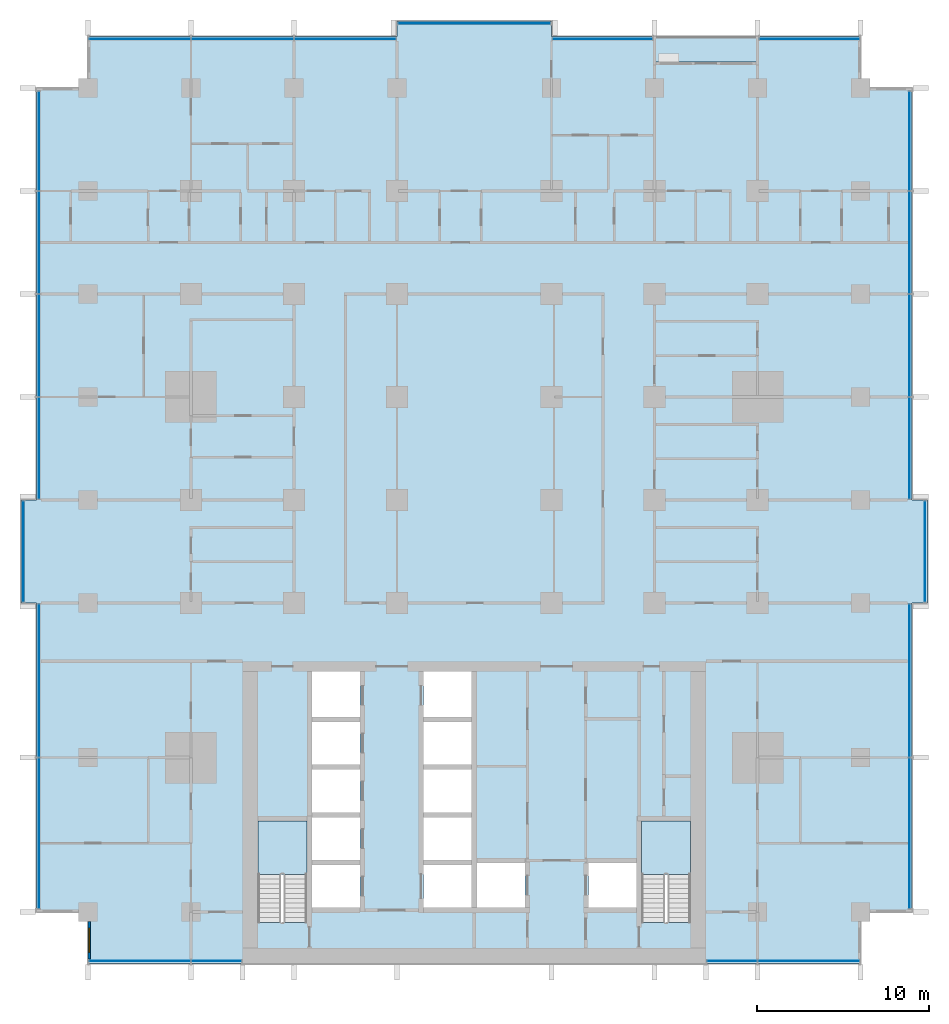
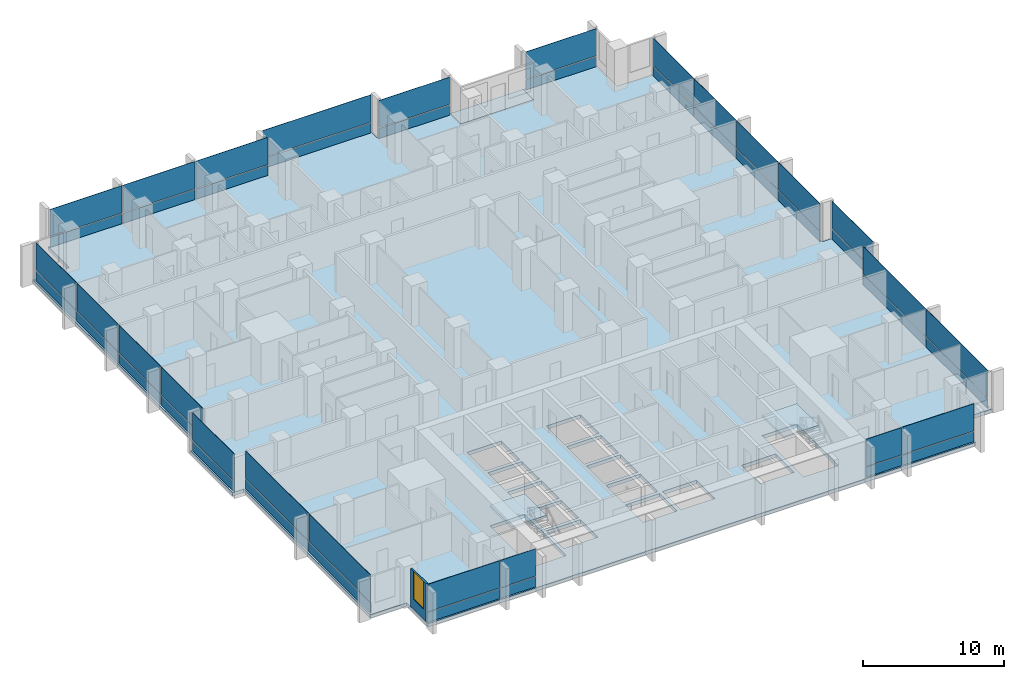
# One storey, part 6 of 18: 48 plates, 4 slabs, 1 wall, 1 window, 1 opening, 14 elements without a shape of their own.
"""IFC4 building model written with IfcOpenShell, lengths in metres."""

from ifc_helpers import new_model, si_unit, direction, frame, frame_2d, origin, origin_2d, place, context, subcontext, project, spatial, polyline, rectangle, outline, extrude, material, layer, layer_set, type_object, element, fill, aggregate, save


model = new_model("IFC4")

# Units and contexts
model_context = context("Model", 3, precision=1e-05, world=origin(), true_north=direction((0.0, 1.0)))
body_context = subcontext(model_context, "Body", "Model", "MODEL_VIEW")
ifc_project = project(units=[si_unit("LENGTHUNIT", "METRE"), si_unit("AREAUNIT", "SQUARE_METRE"), si_unit("VOLUMEUNIT", "CUBIC_METRE"), si_unit("PLANEANGLEUNIT", "RADIAN"), si_unit("MASSUNIT", "GRAM", prefix="KILO")], contexts=[model_context])

# Site, building, storey
site_placement = place(None, origin())
site = spatial("IfcSite", under=ifc_project, at=site_placement, CompositionType="ELEMENT")
building_placement = place(site_placement, origin())
building = spatial("IfcBuilding", under=site, at=building_placement, Name="Finial Court Residences", CompositionType="ELEMENT")
storey_placement = place(building_placement, frame((0.0, 0.0, 57.699951171875)))
storey = spatial("IfcBuildingStorey", under=building, at=storey_placement, Name="L13", CompositionType="ELEMENT", Elevation=57.699951171875)

# Slab
ifc_material_1 = material(Name="Concrete C35/45", Category="concrete")
ifc_layer_1 = layer(ifc_material_1, 0.199951171875)
ifc_layer_set_1 = layer_set([ifc_layer_1], Name="Balcony slab, Concrete C35/45 200")
slab_type_1 = type_object("IfcSlabType", Name="Balcony slab, Concrete C35/45 200", PredefinedType="FLOOR", material=ifc_layer_set_1)
slab_1_placement = place(storey_placement, frame((0.0, 0.0, -0.199951171875)))
element("IfcSlab", 1, at=slab_1_placement, inside=storey, type_object=slab_type_1, Name="Balcony L13-N6", PredefinedType="FLOOR", context=body_context, shape_type="SweptSolid", body=[
    extrude(outline(polyline([(16.5, 27.0), (16.5, 28.5), (10.5, 28.5), (10.5, 27.0), (16.5, 27.0)])), origin(), (0.0, 0.0, 1.0), 0.199951171875),
])

# Curtain wall, plates
ifc_material_2 = material(Name="Bronze anodised aluminium", Category="aluminium")
curtain_wall_type = type_object("IfcCurtainWallType", Name="Unitised curtain wall, lower and middle zones", PredefinedType="NOTDEFINED", material=ifc_material_2)
curtain_wall_1_placement = place(storey_placement, origin())
curtain_wall_1 = element("IfcCurtainWall", 2, at=curtain_wall_1_placement, inside=storey, type_object=curtain_wall_type, Name="E-L13-CW-N1", PredefinedType="NOTDEFINED")
ifc_layer_2 = layer(ifc_material_2, 0.0400390625)
ifc_layer_set_2 = layer_set([ifc_layer_2], Name="CW1 spandrel panel 40")
plate_type_1 = type_object("IfcPlateType", Name="CW1 spandrel panel 40", PredefinedType="CURTAIN_PANEL", material=ifc_layer_set_2)
plate_1_placement = place(storey_placement, frame((-19.48388671875, 28.35009765625, 0.0), z_axis=(0.0, 0.0, 1.0), x_axis=(1.0, 0.0, 0.0)))
plate_1 = element("IfcPlate", 3, at=plate_1_placement, type_object=plate_type_1, Name="CW1 spandrel 1.1", PredefinedType="CURTAIN_PANEL", context=body_context, shape_type="SweptSolid", body=[
    extrude(rectangle(XDim=5.902587890625, YDim=0.0400390625, at=origin_2d()), origin(), (0.0, 0.0, 1.0), 0.867431640625),
])
plate_2_placement = place(storey_placement, frame((-13.5, 28.35009765625, 0.0), z_axis=(0.0, 0.0, 1.0), x_axis=(1.0, 0.0, 0.0)))
plate_2 = element("IfcPlate", 4, at=plate_2_placement, type_object=plate_type_1, Name="CW1 spandrel 2.1", PredefinedType="CURTAIN_PANEL", context=body_context, shape_type="SweptSolid", body=[
    extrude(rectangle(XDim=5.93505859375, YDim=0.0400390625, at=origin_2d()), origin(), (0.0, 0.0, 1.0), 0.867431640625),
])
plate_3_placement = place(storey_placement, frame((-7.51611328125, 28.35009765625, 0.0), z_axis=(0.0, 0.0, 1.0), x_axis=(1.0, 0.0, 0.0)))
plate_3 = element("IfcPlate", 5, at=plate_3_placement, type_object=plate_type_1, Name="CW1 spandrel 3.1", PredefinedType="CURTAIN_PANEL", context=body_context, shape_type="SweptSolid", body=[
    extrude(rectangle(XDim=5.902587890625, YDim=0.0400390625, at=origin_2d()), origin(), (0.0, 0.0, 1.0), 0.867431640625),
])

# Curtain wall, plate
curtain_wall_2_placement = place(storey_placement, origin())
curtain_wall_2 = element("IfcCurtainWall", 6, at=curtain_wall_2_placement, inside=storey, type_object=curtain_wall_type, Name="E-L13-CW-N2", PredefinedType="NOTDEFINED")
plate_4_placement = place(storey_placement, frame((0.0, 29.25, 0.0), z_axis=(0.0, 0.0, 1.0), x_axis=(1.0, 0.0, 0.0)))
plate_4 = element("IfcPlate", 7, at=plate_4_placement, type_object=plate_type_1, Name="CW1 spandrel 1.1", PredefinedType="CURTAIN_PANEL", context=body_context, shape_type="SweptSolid", body=[
    extrude(rectangle(XDim=8.8701171875, YDim=0.0400390625, at=origin_2d()), origin(), (0.0, 0.0, 1.0), 0.867431640625),
])

curtain_wall_3_placement = place(storey_placement, origin())
curtain_wall_3 = element("IfcCurtainWall", 8, at=curtain_wall_3_placement, inside=storey, type_object=curtain_wall_type, Name="E-L13-CW-N3", PredefinedType="NOTDEFINED")
plate_5_placement = place(storey_placement, frame((7.46240234375, 28.35009765625, 0.0), z_axis=(0.0, 0.0, 1.0), x_axis=(1.0, 0.0, 0.0)))
plate_5 = element("IfcPlate", 9, at=plate_5_placement, type_object=plate_type_1, Name="CW1 spandrel 1.1", PredefinedType="CURTAIN_PANEL", context=body_context, shape_type="SweptSolid", body=[
    extrude(rectangle(XDim=5.794921875, YDim=0.0400390625, at=origin_2d()), origin(), (0.0, 0.0, 1.0), 0.867431640625),
])

curtain_wall_4_placement = place(storey_placement, origin())
curtain_wall_4 = element("IfcCurtainWall", 10, at=curtain_wall_4_placement, inside=storey, type_object=curtain_wall_type, Name="E-L13-CW-N4", PredefinedType="NOTDEFINED")
plate_6_placement = place(storey_placement, frame((19.53759765625, 28.35009765625, 0.0), z_axis=(0.0, 0.0, 1.0), x_axis=(1.0, 0.0, 0.0)))
plate_6 = element("IfcPlate", 11, at=plate_6_placement, type_object=plate_type_1, Name="CW1 spandrel 1.1", PredefinedType="CURTAIN_PANEL", context=body_context, shape_type="SweptSolid", body=[
    extrude(rectangle(XDim=5.794921875, YDim=0.0400390625, at=origin_2d()), origin(), (0.0, 0.0, 1.0), 0.867431640625),
])

# Curtain wall, plates
curtain_wall_5_placement = place(storey_placement, origin())
curtain_wall_5 = element("IfcCurtainWall", 12, at=curtain_wall_5_placement, inside=storey, type_object=curtain_wall_type, Name="E-L13-CW-E5", PredefinedType="NOTDEFINED")
plate_7_placement = place(storey_placement, frame((25.35009765625, -17.90869140625, 0.0), z_axis=(0.0, 0.0, 1.0), x_axis=(0.0, 1.0, 0.0)))
plate_7 = element("IfcPlate", 13, at=plate_7_placement, type_object=plate_type_1, Name="CW1 spandrel 1.1", PredefinedType="CURTAIN_PANEL", context=body_context, shape_type="SweptSolid", body=[
    extrude(rectangle(XDim=8.75244140625, YDim=0.0400390625, at=origin_2d()), origin(), (0.0, 0.0, 1.0), 0.867431640625),
])
plate_8_placement = place(storey_placement, frame((25.35009765625, -9.01611328125, 0.0), z_axis=(0.0, 0.0, 1.0), x_axis=(0.0, 1.0, 0.0)))
plate_8 = element("IfcPlate", 14, at=plate_8_placement, type_object=plate_type_1, Name="CW1 spandrel 2.1", PredefinedType="CURTAIN_PANEL", context=body_context, shape_type="SweptSolid", body=[
    extrude(rectangle(XDim=8.902587890625, YDim=0.0400390625, at=origin_2d()), origin(), (0.0, 0.0, 1.0), 0.867431640625),
])

# Curtain wall, plate
curtain_wall_6_placement = place(storey_placement, origin())
curtain_wall_6 = element("IfcCurtainWall", 15, at=curtain_wall_6_placement, inside=storey, type_object=curtain_wall_type, Name="E-L13-CW-E6", PredefinedType="NOTDEFINED")
plate_9_placement = place(storey_placement, frame((26.25, -1.5, 0.0), z_axis=(0.0, 0.0, 1.0), x_axis=(0.0, 1.0, 0.0)))
plate_9 = element("IfcPlate", 16, at=plate_9_placement, type_object=plate_type_1, Name="CW1 spandrel 1.1", PredefinedType="CURTAIN_PANEL", context=body_context, shape_type="SweptSolid", body=[
    extrude(rectangle(XDim=5.8701171875, YDim=0.0400390625, at=origin_2d()), origin(), (0.0, 0.0, 1.0), 0.867431640625),
])

# Curtain wall, plates
curtain_wall_7_placement = place(storey_placement, origin())
curtain_wall_7 = element("IfcCurtainWall", 17, at=curtain_wall_7_placement, inside=storey, type_object=curtain_wall_type, Name="E-L13-CW-E7", PredefinedType="NOTDEFINED")
plate_10_placement = place(storey_placement, frame((25.35009765625, 4.516357421875, 0.0), z_axis=(0.0, 0.0, 1.0), x_axis=(0.0, 1.0, 0.0)))
plate_10 = element("IfcPlate", 18, at=plate_10_placement, type_object=plate_type_1, Name="CW1 spandrel 1.1", PredefinedType="CURTAIN_PANEL", context=body_context, shape_type="SweptSolid", body=[
    extrude(rectangle(XDim=5.902587890625, YDim=0.0400390625, at=origin_2d()), origin(), (0.0, 0.0, 1.0), 0.867431640625),
])
plate_11_placement = place(storey_placement, frame((25.35009765625, 10.5, 0.0), z_axis=(0.0, 0.0, 1.0), x_axis=(0.0, 1.0, 0.0)))
plate_11 = element("IfcPlate", 19, at=plate_11_placement, type_object=plate_type_1, Name="CW1 spandrel 2.1", PredefinedType="CURTAIN_PANEL", context=body_context, shape_type="SweptSolid", body=[
    extrude(rectangle(XDim=5.93505859375, YDim=0.0400390625, at=origin_2d()), origin(), (0.0, 0.0, 1.0), 0.867431640625),
])
plate_12_placement = place(storey_placement, frame((25.35009765625, 16.5, 0.0), z_axis=(0.0, 0.0, 1.0), x_axis=(0.0, 1.0, 0.0)))
plate_12 = element("IfcPlate", 20, at=plate_12_placement, type_object=plate_type_1, Name="CW1 spandrel 3.1", PredefinedType="CURTAIN_PANEL", context=body_context, shape_type="SweptSolid", body=[
    extrude(rectangle(XDim=5.93505859375, YDim=0.0400390625, at=origin_2d()), origin(), (0.0, 0.0, 1.0), 0.867431640625),
])
plate_13_placement = place(storey_placement, frame((25.35009765625, 22.40869140625, 0.0), z_axis=(0.0, 0.0, 1.0), x_axis=(0.0, 1.0, 0.0)))
plate_13 = element("IfcPlate", 21, at=plate_13_placement, type_object=plate_type_1, Name="CW1 spandrel 4.1", PredefinedType="CURTAIN_PANEL", context=body_context, shape_type="SweptSolid", body=[
    extrude(rectangle(XDim=5.75244140625, YDim=0.0400390625, at=origin_2d()), origin(), (0.0, 0.0, 1.0), 0.867431640625),
])

curtain_wall_8_placement = place(storey_placement, origin())
curtain_wall_8 = element("IfcCurtainWall", 22, at=curtain_wall_8_placement, inside=storey, type_object=curtain_wall_type, Name="E-L13-CW-S8", PredefinedType="NOTDEFINED")
plate_14_placement = place(storey_placement, frame((-19.48388671875, -25.35009765625, 0.0), z_axis=(0.0, 0.0, 1.0), x_axis=(1.0, 0.0, 0.0)))
plate_14 = element("IfcPlate", 23, at=plate_14_placement, type_object=plate_type_1, Name="CW1 spandrel 1.1", PredefinedType="CURTAIN_PANEL", context=body_context, shape_type="SweptSolid", body=[
    extrude(rectangle(XDim=5.902587890625, YDim=0.0400390625, at=origin_2d()), origin(), (0.0, 0.0, 1.0), 0.867431640625),
])
plate_15_placement = place(storey_placement, frame((-15.016357421875, -25.35009765625, 0.0), z_axis=(0.0, 0.0, 1.0), x_axis=(1.0, 0.0, 0.0)))
plate_15 = element("IfcPlate", 24, at=plate_15_placement, type_object=plate_type_1, Name="CW1 spandrel 2.1", PredefinedType="CURTAIN_PANEL", context=body_context, shape_type="SweptSolid", body=[
    extrude(rectangle(XDim=2.902587890625, YDim=0.0400390625, at=origin_2d()), origin(), (0.0, 0.0, 1.0), 0.867431640625),
])

curtain_wall_9_placement = place(storey_placement, origin())
curtain_wall_9 = element("IfcCurtainWall", 25, at=curtain_wall_9_placement, inside=storey, type_object=curtain_wall_type, Name="E-L13-CW-S9", PredefinedType="NOTDEFINED")
plate_16_placement = place(storey_placement, frame((15.016357421875, -25.35009765625, 0.0), z_axis=(0.0, 0.0, 1.0), x_axis=(1.0, 0.0, 0.0)))
plate_16 = element("IfcPlate", 26, at=plate_16_placement, type_object=plate_type_1, Name="CW1 spandrel 1.1", PredefinedType="CURTAIN_PANEL", context=body_context, shape_type="SweptSolid", body=[
    extrude(rectangle(XDim=2.902587890625, YDim=0.0400390625, at=origin_2d()), origin(), (0.0, 0.0, 1.0), 0.867431640625),
])
plate_17_placement = place(storey_placement, frame((19.48388671875, -25.35009765625, 0.0), z_axis=(0.0, 0.0, 1.0), x_axis=(1.0, 0.0, 0.0)))
plate_17 = element("IfcPlate", 27, at=plate_17_placement, type_object=plate_type_1, Name="CW1 spandrel 2.1", PredefinedType="CURTAIN_PANEL", context=body_context, shape_type="SweptSolid", body=[
    extrude(rectangle(XDim=5.902587890625, YDim=0.0400390625, at=origin_2d()), origin(), (0.0, 0.0, 1.0), 0.867431640625),
])

curtain_wall_10_placement = place(storey_placement, origin())
curtain_wall_10 = element("IfcCurtainWall", 28, at=curtain_wall_10_placement, inside=storey, type_object=curtain_wall_type, Name="E-L13-CW-W10", PredefinedType="NOTDEFINED")
plate_18_placement = place(storey_placement, frame((-25.35009765625, -17.90869140625, 0.0), z_axis=(0.0, 0.0, 1.0), x_axis=(0.0, 1.0, 0.0)))
plate_18 = element("IfcPlate", 29, at=plate_18_placement, type_object=plate_type_1, Name="CW1 spandrel 1.1", PredefinedType="CURTAIN_PANEL", context=body_context, shape_type="SweptSolid", body=[
    extrude(rectangle(XDim=8.75244140625, YDim=0.0400390625, at=origin_2d()), origin(), (0.0, 0.0, 1.0), 0.867431640625),
])
plate_19_placement = place(storey_placement, frame((-25.35009765625, -9.01611328125, 0.0), z_axis=(0.0, 0.0, 1.0), x_axis=(0.0, 1.0, 0.0)))
plate_19 = element("IfcPlate", 30, at=plate_19_placement, type_object=plate_type_1, Name="CW1 spandrel 2.1", PredefinedType="CURTAIN_PANEL", context=body_context, shape_type="SweptSolid", body=[
    extrude(rectangle(XDim=8.902587890625, YDim=0.0400390625, at=origin_2d()), origin(), (0.0, 0.0, 1.0), 0.867431640625),
])

# Curtain wall, plate
curtain_wall_11_placement = place(storey_placement, origin())
curtain_wall_11 = element("IfcCurtainWall", 31, at=curtain_wall_11_placement, inside=storey, type_object=curtain_wall_type, Name="E-L13-CW-W11", PredefinedType="NOTDEFINED")
plate_20_placement = place(storey_placement, frame((-26.25, -1.5, 0.0), z_axis=(0.0, 0.0, 1.0), x_axis=(0.0, 1.0, 0.0)))
plate_20 = element("IfcPlate", 32, at=plate_20_placement, type_object=plate_type_1, Name="CW1 spandrel 1.1", PredefinedType="CURTAIN_PANEL", context=body_context, shape_type="SweptSolid", body=[
    extrude(rectangle(XDim=5.8701171875, YDim=0.0400390625, at=origin_2d()), origin(), (0.0, 0.0, 1.0), 0.867431640625),
])

# Curtain wall, plates
curtain_wall_12_placement = place(storey_placement, origin())
curtain_wall_12 = element("IfcCurtainWall", 33, at=curtain_wall_12_placement, inside=storey, type_object=curtain_wall_type, Name="E-L13-CW-W12", PredefinedType="NOTDEFINED")
plate_21_placement = place(storey_placement, frame((-25.35009765625, 4.516357421875, 0.0), z_axis=(0.0, 0.0, 1.0), x_axis=(0.0, 1.0, 0.0)))
plate_21 = element("IfcPlate", 34, at=plate_21_placement, type_object=plate_type_1, Name="CW1 spandrel 1.1", PredefinedType="CURTAIN_PANEL", context=body_context, shape_type="SweptSolid", body=[
    extrude(rectangle(XDim=5.902587890625, YDim=0.0400390625, at=origin_2d()), origin(), (0.0, 0.0, 1.0), 0.867431640625),
])
plate_22_placement = place(storey_placement, frame((-25.35009765625, 10.5, 0.0), z_axis=(0.0, 0.0, 1.0), x_axis=(0.0, 1.0, 0.0)))
plate_22 = element("IfcPlate", 35, at=plate_22_placement, type_object=plate_type_1, Name="CW1 spandrel 2.1", PredefinedType="CURTAIN_PANEL", context=body_context, shape_type="SweptSolid", body=[
    extrude(rectangle(XDim=5.93505859375, YDim=0.0400390625, at=origin_2d()), origin(), (0.0, 0.0, 1.0), 0.867431640625),
])
plate_23_placement = place(storey_placement, frame((-25.35009765625, 16.5, 0.0), z_axis=(0.0, 0.0, 1.0), x_axis=(0.0, 1.0, 0.0)))
plate_23 = element("IfcPlate", 36, at=plate_23_placement, type_object=plate_type_1, Name="CW1 spandrel 3.1", PredefinedType="CURTAIN_PANEL", context=body_context, shape_type="SweptSolid", body=[
    extrude(rectangle(XDim=5.93505859375, YDim=0.0400390625, at=origin_2d()), origin(), (0.0, 0.0, 1.0), 0.867431640625),
])
plate_24_placement = place(storey_placement, frame((-25.35009765625, 22.40869140625, 0.0), z_axis=(0.0, 0.0, 1.0), x_axis=(0.0, 1.0, 0.0)))
plate_24 = element("IfcPlate", 37, at=plate_24_placement, type_object=plate_type_1, Name="CW1 spandrel 4.1", PredefinedType="CURTAIN_PANEL", context=body_context, shape_type="SweptSolid", body=[
    extrude(rectangle(XDim=5.75244140625, YDim=0.0400390625, at=origin_2d()), origin(), (0.0, 0.0, 1.0), 0.867431640625),
])

# Plate
ifc_material_3 = material(Name="Clear low-e glass", Category="glass")
ifc_layer_3 = layer(ifc_material_3, 0.031982421875)
ifc_layer_set_3 = layer_set([ifc_layer_3], Name="CW1 vision glass 32")
plate_type_2 = type_object("IfcPlateType", Name="CW1 vision glass 32", PredefinedType="CURTAIN_PANEL", material=ifc_layer_set_3)
plate_25_placement = place(storey_placement, frame((-19.48388671875, 28.35009765625, 0.9326171875), z_axis=(0.0, 0.0, 1.0), x_axis=(1.0, 0.0, 0.0)))
plate_25 = element("IfcPlate", 38, at=plate_25_placement, type_object=plate_type_2, Name="CW1 glass 1.2", PredefinedType="CURTAIN_PANEL", context=body_context, shape_type="SweptSolid", body=[
    extrude(rectangle(XDim=5.902587890625, YDim=0.031982421875, at=origin_2d()), origin(), (0.0, 0.0, 1.0), 2.367431640625),
])

plate_26_placement = place(storey_placement, frame((-13.5, 28.35009765625, 0.9326171875), z_axis=(0.0, 0.0, 1.0), x_axis=(1.0, 0.0, 0.0)))
plate_26 = element("IfcPlate", 39, at=plate_26_placement, type_object=plate_type_2, Name="CW1 glass 2.2", PredefinedType="CURTAIN_PANEL", context=body_context, shape_type="SweptSolid", body=[
    extrude(rectangle(XDim=5.93505859375, YDim=0.031982421875, at=origin_2d()), origin(), (0.0, 0.0, 1.0), 2.367431640625),
])

plate_27_placement = place(storey_placement, frame((-7.51611328125, 28.35009765625, 0.9326171875), z_axis=(0.0, 0.0, 1.0), x_axis=(1.0, 0.0, 0.0)))
plate_27 = element("IfcPlate", 40, at=plate_27_placement, type_object=plate_type_2, Name="CW1 glass 3.2", PredefinedType="CURTAIN_PANEL", context=body_context, shape_type="SweptSolid", body=[
    extrude(rectangle(XDim=5.902587890625, YDim=0.031982421875, at=origin_2d()), origin(), (0.0, 0.0, 1.0), 2.367431640625),
])

aggregate(curtain_wall_1, [plate_1, plate_25, plate_2, plate_26, plate_3, plate_27])

plate_28_placement = place(storey_placement, frame((0.0, 29.25, 0.9326171875), z_axis=(0.0, 0.0, 1.0), x_axis=(1.0, 0.0, 0.0)))
plate_28 = element("IfcPlate", 41, at=plate_28_placement, type_object=plate_type_2, Name="CW1 glass 1.2", PredefinedType="CURTAIN_PANEL", context=body_context, shape_type="SweptSolid", body=[
    extrude(rectangle(XDim=8.8701171875, YDim=0.031982421875, at=origin_2d()), origin(), (0.0, 0.0, 1.0), 2.367431640625),
])

aggregate(curtain_wall_2, [plate_4, plate_28])

plate_29_placement = place(storey_placement, frame((7.46240234375, 28.35009765625, 0.9326171875), z_axis=(0.0, 0.0, 1.0), x_axis=(1.0, 0.0, 0.0)))
plate_29 = element("IfcPlate", 42, at=plate_29_placement, type_object=plate_type_2, Name="CW1 glass 1.2", PredefinedType="CURTAIN_PANEL", context=body_context, shape_type="SweptSolid", body=[
    extrude(rectangle(XDim=5.794921875, YDim=0.031982421875, at=origin_2d()), origin(), (0.0, 0.0, 1.0), 2.367431640625),
])

aggregate(curtain_wall_3, [plate_5, plate_29])

plate_30_placement = place(storey_placement, frame((19.53759765625, 28.35009765625, 0.9326171875), z_axis=(0.0, 0.0, 1.0), x_axis=(1.0, 0.0, 0.0)))
plate_30 = element("IfcPlate", 43, at=plate_30_placement, type_object=plate_type_2, Name="CW1 glass 1.2", PredefinedType="CURTAIN_PANEL", context=body_context, shape_type="SweptSolid", body=[
    extrude(rectangle(XDim=5.794921875, YDim=0.031982421875, at=origin_2d()), origin(), (0.0, 0.0, 1.0), 2.367431640625),
])

aggregate(curtain_wall_4, [plate_6, plate_30])

plate_31_placement = place(storey_placement, frame((25.35009765625, -17.90869140625, 0.9326171875), z_axis=(0.0, 0.0, 1.0), x_axis=(0.0, 1.0, 0.0)))
plate_31 = element("IfcPlate", 44, at=plate_31_placement, type_object=plate_type_2, Name="CW1 glass 1.2", PredefinedType="CURTAIN_PANEL", context=body_context, shape_type="SweptSolid", body=[
    extrude(rectangle(XDim=8.75244140625, YDim=0.031982421875, at=origin_2d()), origin(), (0.0, 0.0, 1.0), 2.367431640625),
])

plate_32_placement = place(storey_placement, frame((25.35009765625, -9.01611328125, 0.9326171875), z_axis=(0.0, 0.0, 1.0), x_axis=(0.0, 1.0, 0.0)))
plate_32 = element("IfcPlate", 45, at=plate_32_placement, type_object=plate_type_2, Name="CW1 glass 2.2", PredefinedType="CURTAIN_PANEL", context=body_context, shape_type="SweptSolid", body=[
    extrude(rectangle(XDim=8.902587890625, YDim=0.031982421875, at=origin_2d()), origin(), (0.0, 0.0, 1.0), 2.367431640625),
])

aggregate(curtain_wall_5, [plate_7, plate_31, plate_8, plate_32])

plate_33_placement = place(storey_placement, frame((26.25, -1.5, 0.9326171875), z_axis=(0.0, 0.0, 1.0), x_axis=(0.0, 1.0, 0.0)))
plate_33 = element("IfcPlate", 46, at=plate_33_placement, type_object=plate_type_2, Name="CW1 glass 1.2", PredefinedType="CURTAIN_PANEL", context=body_context, shape_type="SweptSolid", body=[
    extrude(rectangle(XDim=5.8701171875, YDim=0.031982421875, at=origin_2d()), origin(), (0.0, 0.0, 1.0), 2.367431640625),
])

aggregate(curtain_wall_6, [plate_9, plate_33])

plate_34_placement = place(storey_placement, frame((25.35009765625, 4.516357421875, 0.9326171875), z_axis=(0.0, 0.0, 1.0), x_axis=(0.0, 1.0, 0.0)))
plate_34 = element("IfcPlate", 47, at=plate_34_placement, type_object=plate_type_2, Name="CW1 glass 1.2", PredefinedType="CURTAIN_PANEL", context=body_context, shape_type="SweptSolid", body=[
    extrude(rectangle(XDim=5.902587890625, YDim=0.031982421875, at=origin_2d()), origin(), (0.0, 0.0, 1.0), 2.367431640625),
])

plate_35_placement = place(storey_placement, frame((25.35009765625, 10.5, 0.9326171875), z_axis=(0.0, 0.0, 1.0), x_axis=(0.0, 1.0, 0.0)))
plate_35 = element("IfcPlate", 48, at=plate_35_placement, type_object=plate_type_2, Name="CW1 glass 2.2", PredefinedType="CURTAIN_PANEL", context=body_context, shape_type="SweptSolid", body=[
    extrude(rectangle(XDim=5.93505859375, YDim=0.031982421875, at=origin_2d()), origin(), (0.0, 0.0, 1.0), 2.367431640625),
])

plate_36_placement = place(storey_placement, frame((25.35009765625, 16.5, 0.9326171875), z_axis=(0.0, 0.0, 1.0), x_axis=(0.0, 1.0, 0.0)))
plate_36 = element("IfcPlate", 49, at=plate_36_placement, type_object=plate_type_2, Name="CW1 glass 3.2", PredefinedType="CURTAIN_PANEL", context=body_context, shape_type="SweptSolid", body=[
    extrude(rectangle(XDim=5.93505859375, YDim=0.031982421875, at=origin_2d()), origin(), (0.0, 0.0, 1.0), 2.367431640625),
])

plate_37_placement = place(storey_placement, frame((25.35009765625, 22.40869140625, 0.9326171875), z_axis=(0.0, 0.0, 1.0), x_axis=(0.0, 1.0, 0.0)))
plate_37 = element("IfcPlate", 50, at=plate_37_placement, type_object=plate_type_2, Name="CW1 glass 4.2", PredefinedType="CURTAIN_PANEL", context=body_context, shape_type="SweptSolid", body=[
    extrude(rectangle(XDim=5.75244140625, YDim=0.031982421875, at=origin_2d()), origin(), (0.0, 0.0, 1.0), 2.367431640625),
])

aggregate(curtain_wall_7, [plate_10, plate_34, plate_11, plate_35, plate_12, plate_36, plate_13, plate_37])

plate_38_placement = place(storey_placement, frame((-19.48388671875, -25.35009765625, 0.9326171875), z_axis=(0.0, 0.0, 1.0), x_axis=(1.0, 0.0, 0.0)))
plate_38 = element("IfcPlate", 51, at=plate_38_placement, type_object=plate_type_2, Name="CW1 glass 1.2", PredefinedType="CURTAIN_PANEL", context=body_context, shape_type="SweptSolid", body=[
    extrude(rectangle(XDim=5.902587890625, YDim=0.031982421875, at=origin_2d()), origin(), (0.0, 0.0, 1.0), 2.367431640625),
])

plate_39_placement = place(storey_placement, frame((-15.016357421875, -25.35009765625, 0.9326171875), z_axis=(0.0, 0.0, 1.0), x_axis=(1.0, 0.0, 0.0)))
plate_39 = element("IfcPlate", 52, at=plate_39_placement, type_object=plate_type_2, Name="CW1 glass 2.2", PredefinedType="CURTAIN_PANEL", context=body_context, shape_type="SweptSolid", body=[
    extrude(rectangle(XDim=2.902587890625, YDim=0.031982421875, at=origin_2d()), origin(), (0.0, 0.0, 1.0), 2.367431640625),
])

aggregate(curtain_wall_8, [plate_14, plate_38, plate_15, plate_39])

plate_40_placement = place(storey_placement, frame((15.016357421875, -25.35009765625, 0.9326171875), z_axis=(0.0, 0.0, 1.0), x_axis=(1.0, 0.0, 0.0)))
plate_40 = element("IfcPlate", 53, at=plate_40_placement, type_object=plate_type_2, Name="CW1 glass 1.2", PredefinedType="CURTAIN_PANEL", context=body_context, shape_type="SweptSolid", body=[
    extrude(rectangle(XDim=2.902587890625, YDim=0.031982421875, at=origin_2d()), origin(), (0.0, 0.0, 1.0), 2.367431640625),
])

plate_41_placement = place(storey_placement, frame((19.48388671875, -25.35009765625, 0.9326171875), z_axis=(0.0, 0.0, 1.0), x_axis=(1.0, 0.0, 0.0)))
plate_41 = element("IfcPlate", 54, at=plate_41_placement, type_object=plate_type_2, Name="CW1 glass 2.2", PredefinedType="CURTAIN_PANEL", context=body_context, shape_type="SweptSolid", body=[
    extrude(rectangle(XDim=5.902587890625, YDim=0.031982421875, at=origin_2d()), origin(), (0.0, 0.0, 1.0), 2.367431640625),
])

aggregate(curtain_wall_9, [plate_16, plate_40, plate_17, plate_41])

plate_42_placement = place(storey_placement, frame((-25.35009765625, -17.90869140625, 0.9326171875), z_axis=(0.0, 0.0, 1.0), x_axis=(0.0, 1.0, 0.0)))
plate_42 = element("IfcPlate", 55, at=plate_42_placement, type_object=plate_type_2, Name="CW1 glass 1.2", PredefinedType="CURTAIN_PANEL", context=body_context, shape_type="SweptSolid", body=[
    extrude(rectangle(XDim=8.75244140625, YDim=0.031982421875, at=origin_2d()), origin(), (0.0, 0.0, 1.0), 2.367431640625),
])

plate_43_placement = place(storey_placement, frame((-25.35009765625, -9.01611328125, 0.9326171875), z_axis=(0.0, 0.0, 1.0), x_axis=(0.0, 1.0, 0.0)))
plate_43 = element("IfcPlate", 56, at=plate_43_placement, type_object=plate_type_2, Name="CW1 glass 2.2", PredefinedType="CURTAIN_PANEL", context=body_context, shape_type="SweptSolid", body=[
    extrude(rectangle(XDim=8.902587890625, YDim=0.031982421875, at=origin_2d()), origin(), (0.0, 0.0, 1.0), 2.367431640625),
])

aggregate(curtain_wall_10, [plate_18, plate_42, plate_19, plate_43])

plate_44_placement = place(storey_placement, frame((-26.25, -1.5, 0.9326171875), z_axis=(0.0, 0.0, 1.0), x_axis=(0.0, 1.0, 0.0)))
plate_44 = element("IfcPlate", 57, at=plate_44_placement, type_object=plate_type_2, Name="CW1 glass 1.2", PredefinedType="CURTAIN_PANEL", context=body_context, shape_type="SweptSolid", body=[
    extrude(rectangle(XDim=5.8701171875, YDim=0.031982421875, at=origin_2d()), origin(), (0.0, 0.0, 1.0), 2.367431640625),
])

aggregate(curtain_wall_11, [plate_20, plate_44])

plate_45_placement = place(storey_placement, frame((-25.35009765625, 4.516357421875, 0.9326171875), z_axis=(0.0, 0.0, 1.0), x_axis=(0.0, 1.0, 0.0)))
plate_45 = element("IfcPlate", 58, at=plate_45_placement, type_object=plate_type_2, Name="CW1 glass 1.2", PredefinedType="CURTAIN_PANEL", context=body_context, shape_type="SweptSolid", body=[
    extrude(rectangle(XDim=5.902587890625, YDim=0.031982421875, at=origin_2d()), origin(), (0.0, 0.0, 1.0), 2.367431640625),
])

plate_46_placement = place(storey_placement, frame((-25.35009765625, 10.5, 0.9326171875), z_axis=(0.0, 0.0, 1.0), x_axis=(0.0, 1.0, 0.0)))
plate_46 = element("IfcPlate", 59, at=plate_46_placement, type_object=plate_type_2, Name="CW1 glass 2.2", PredefinedType="CURTAIN_PANEL", context=body_context, shape_type="SweptSolid", body=[
    extrude(rectangle(XDim=5.93505859375, YDim=0.031982421875, at=origin_2d()), origin(), (0.0, 0.0, 1.0), 2.367431640625),
])

plate_47_placement = place(storey_placement, frame((-25.35009765625, 16.5, 0.9326171875), z_axis=(0.0, 0.0, 1.0), x_axis=(0.0, 1.0, 0.0)))
plate_47 = element("IfcPlate", 60, at=plate_47_placement, type_object=plate_type_2, Name="CW1 glass 3.2", PredefinedType="CURTAIN_PANEL", context=body_context, shape_type="SweptSolid", body=[
    extrude(rectangle(XDim=5.93505859375, YDim=0.031982421875, at=origin_2d()), origin(), (0.0, 0.0, 1.0), 2.367431640625),
])

plate_48_placement = place(storey_placement, frame((-25.35009765625, 22.40869140625, 0.9326171875), z_axis=(0.0, 0.0, 1.0), x_axis=(0.0, 1.0, 0.0)))
plate_48 = element("IfcPlate", 61, at=plate_48_placement, type_object=plate_type_2, Name="CW1 glass 4.2", PredefinedType="CURTAIN_PANEL", context=body_context, shape_type="SweptSolid", body=[
    extrude(rectangle(XDim=5.75244140625, YDim=0.031982421875, at=origin_2d()), origin(), (0.0, 0.0, 1.0), 2.367431640625),
])

aggregate(curtain_wall_12, [plate_21, plate_45, plate_22, plate_46, plate_23, plate_47, plate_24, plate_48])

# Stair, slab
ifc_material_4 = material(Name="Concrete C50/60", Category="concrete")
stair_type = type_object("IfcStairType", Name="Exit stair 22 risers of 163.6 mm", PredefinedType="HALF_TURN_STAIR", material=ifc_material_4)
stair_1_placement = place(storey_placement, origin())
stair_1 = element("IfcStair", 62, at=stair_1_placement, inside=storey, type_object=stair_type, Name="L13 Exit stair ST-1", PredefinedType="HALF_TURN_STAIR")
ifc_layer_4 = layer(ifc_material_4, 0.199951171875)
ifc_layer_set_4 = layer_set([ifc_layer_4], Name="Exit stair landing")
slab_type_2 = type_object("IfcSlabType", Name="Exit stair landing", PredefinedType="LANDING", material=ifc_layer_set_4)
slab_2_placement = place(storey_placement, frame((0.0, 0.0, 1.60009765625)))
slab_2 = element("IfcSlab", 63, at=slab_2_placement, type_object=slab_type_2, Name="ST-1 landing 1", PredefinedType="LANDING", context=body_context, shape_type="SweptSolid", body=[
    extrude(outline(polyline([(-9.75, -20.300048828125), (-9.75, -17.199951171875), (-12.60009765625, -17.199951171875), (-12.60009765625, -20.300048828125), (-9.75, -20.300048828125)])), origin(), (0.0, 0.0, 1.0), 0.199951171875),
])
aggregate(stair_1, [slab_2])

stair_2_placement = place(storey_placement, origin())
stair_2 = element("IfcStair", 64, at=stair_2_placement, inside=storey, type_object=stair_type, Name="L13 Exit stair ST-2", PredefinedType="HALF_TURN_STAIR")
slab_3_placement = place(storey_placement, frame((0.0, 0.0, 1.60009765625)))
slab_3 = element("IfcSlab", 65, at=slab_3_placement, type_object=slab_type_2, Name="ST-2 landing 1", PredefinedType="LANDING", context=body_context, shape_type="SweptSolid", body=[
    extrude(outline(polyline([(12.60009765625, -20.300048828125), (12.60009765625, -17.199951171875), (9.75, -17.199951171875), (9.75, -20.300048828125), (12.60009765625, -20.300048828125)])), origin(), (0.0, 0.0, 1.0), 0.199951171875),
])
aggregate(stair_2, [slab_3])

# Slab
ifc_material_5 = material(Name="Concrete C40/50", Category="concrete")
ifc_layer_5 = layer(ifc_material_5, 0.300048828125)
ifc_layer_set_5 = layer_set([ifc_layer_5], Name="Flat plate slab 300 Concrete C40/50")
slab_type_3 = type_object("IfcSlabType", Name="Flat plate slab 300 Concrete C40/50", PredefinedType="FLOOR", material=ifc_layer_set_5)
slab_4_placement = place(storey_placement, frame((0.0, 0.0, -0.300048828125)))
element("IfcSlab", 66, at=slab_4_placement, inside=storey, type_object=slab_type_3, Name="S:SLAB:L13", PredefinedType="FLOOR", context=body_context, shape_type="SweptSolid", body=[
    extrude(outline(polyline([(-25.5, 25.5), (-22.5, 25.5), (-22.5, 28.5), (-4.5, 28.5), (-4.5, 29.39990234375), (4.5, 29.39990234375), (4.5, 28.5), (10.5, 28.5), (10.5, 27.0), (16.5, 27.0), (16.5, 28.5), (22.5, 28.5), (22.5, 25.5), (25.5, 25.5), (25.5, 1.5), (26.39990234375, 1.5), (26.39990234375, -4.5), (25.5, -4.5), (25.5, -22.5), (22.5, -22.5), (22.5, -25.5), (-22.5, -25.5), (-22.5, -22.5), (-25.5, -22.5), (-25.5, -4.5), (-26.39990234375, -4.5), (-26.39990234375, 1.5), (-25.5, 1.5), (-25.5, 25.5)]), holes=[polyline([(-6.64990234375, -19.77001953125), (-9.449951171875, -19.77001953125), (-9.449951171875, -22.25), (-6.64990234375, -22.25), (-6.64990234375, -19.77001953125)]), polyline([(-9.75, -17.199951171875), (-12.60009765625, -17.199951171875), (-12.60009765625, -23.09912109375), (-9.75, -23.09912109375), (-9.75, -17.199951171875)]), polyline([(-6.64990234375, -19.469970703125), (-6.64990234375, -16.989990234375), (-9.449951171875, -16.989990234375), (-9.449951171875, -19.469970703125), (-6.64990234375, -19.469970703125)]), polyline([(-6.64990234375, -16.68994140625), (-6.64990234375, -14.2099609375), (-9.449951171875, -14.2099609375), (-9.449951171875, -16.68994140625), (-6.64990234375, -16.68994140625)]), polyline([(-6.64990234375, -13.909912109375), (-6.64990234375, -11.429931640625), (-9.449951171875, -11.429931640625), (-9.449951171875, -13.909912109375), (-6.64990234375, -13.909912109375)]), polyline([(-6.64990234375, -11.1298828125), (-6.64990234375, -8.5), (-9.449951171875, -8.5), (-9.449951171875, -11.1298828125), (-6.64990234375, -11.1298828125)]), polyline([(-0.14990234375, -11.1298828125), (-0.14990234375, -8.5), (-2.949951171875, -8.5), (-2.949951171875, -11.1298828125), (-0.14990234375, -11.1298828125)]), polyline([(-0.14990234375, -19.77001953125), (-2.949951171875, -19.77001953125), (-2.949951171875, -22.25), (-0.14990234375, -22.25), (-0.14990234375, -19.77001953125)]), polyline([(2.949951171875, -22.25), (2.949951171875, -19.64990234375), (0.14990234375, -19.64990234375), (0.14990234375, -22.25), (2.949951171875, -22.25)]), polyline([(9.449951171875, -22.25), (9.449951171875, -19.64990234375), (6.64990234375, -19.64990234375), (6.64990234375, -22.25), (9.449951171875, -22.25)]), polyline([(12.60009765625, -17.199951171875), (9.75, -17.199951171875), (9.75, -23.09912109375), (12.60009765625, -23.09912109375), (12.60009765625, -17.199951171875)]), polyline([(-0.14990234375, -19.469970703125), (-0.14990234375, -16.989990234375), (-2.949951171875, -16.989990234375), (-2.949951171875, -19.469970703125), (-0.14990234375, -19.469970703125)]), polyline([(-0.14990234375, -16.68994140625), (-0.14990234375, -14.2099609375), (-2.949951171875, -14.2099609375), (-2.949951171875, -16.68994140625), (-0.14990234375, -16.68994140625)]), polyline([(-0.14990234375, -13.909912109375), (-0.14990234375, -11.429931640625), (-2.949951171875, -11.429931640625), (-2.949951171875, -13.909912109375), (-0.14990234375, -13.909912109375)])]), origin(), (0.0, 0.0, 1.0), 0.300048828125),
])

# Wall, opening, window
ifc_material_6 = material(Name="Natural limestone", Category="masonry")
ifc_layer_6 = layer(ifc_material_6, 0.14990234375)
ifc_layer_set_6 = layer_set([ifc_layer_6], Name="Limestone clad wall 150")
wall_type = type_object("IfcWallType", Name="Limestone clad wall 150", PredefinedType="SOLIDWALL", material=ifc_layer_set_6)
wall_placement = place(storey_placement, frame((-22.425048828125, -25.25, 0.0), z_axis=(0.0, 0.0, 1.0), x_axis=(0.0, 1.0, 0.0)))
wall = element("IfcWall", 67, at=wall_placement, inside=storey, type_object=wall_type, Name="E-L13-NWW13", PredefinedType="SOLIDWALL", context=body_context, shape_type="SweptSolid", body=[
    extrude(rectangle(XDim=2.199951171875, YDim=0.14990234375, at=frame_2d((1.10009765625, 0.0))), origin(), (0.0, 0.0, 1.0), 3.300048828125),
])
opening_placement = place(wall_placement, frame((0.39990234375, 0.0, 0.89990234375)))
opening = element("IfcOpeningElement", 68, at=opening_placement, cuts=wall, Name="Opening WE13-01", PredefinedType="OPENING", context=body_context, shape_type="SweptSolid", body=[
    extrude(rectangle(XDim=1.39990234375, YDim=2.39990234375, at=frame_2d((0.699951171875, 1.199951171875))), frame((0.0, 0.0849609375, 0.0), z_axis=(0.0, -1.0, 0.0), x_axis=(1.0, 0.0, 0.0)), (0.0, 0.0, 1.0), 0.169921875),
])
window_type = type_object("IfcWindowType", Name="Corner window 1400 x 2400", PartitioningType="SINGLE_PANEL", PredefinedType="WINDOW", material=ifc_material_3)
window_placement = place(opening_placement, origin())
window = element("IfcWindow", 69, at=window_placement, inside=storey, type_object=window_type, Name="E-L13-NWW13-W1", OverallHeight=2.39990234375, OverallWidth=1.39990234375, PartitioningType="SINGLE_PANEL", PredefinedType="WINDOW", context=body_context, shape_type="SweptSolid", body=[
    extrude(rectangle(XDim=1.39990234375, YDim=2.39990234375, at=frame_2d((0.699951171875, 1.199951171875))), frame((0.0, 0.030029296875, 0.0), z_axis=(0.0, -1.0, 0.0), x_axis=(1.0, 0.0, 0.0)), (0.0, 0.0, 1.0), 0.06005859375),
])
fill(opening, window)

save(model, "model.ifc")
